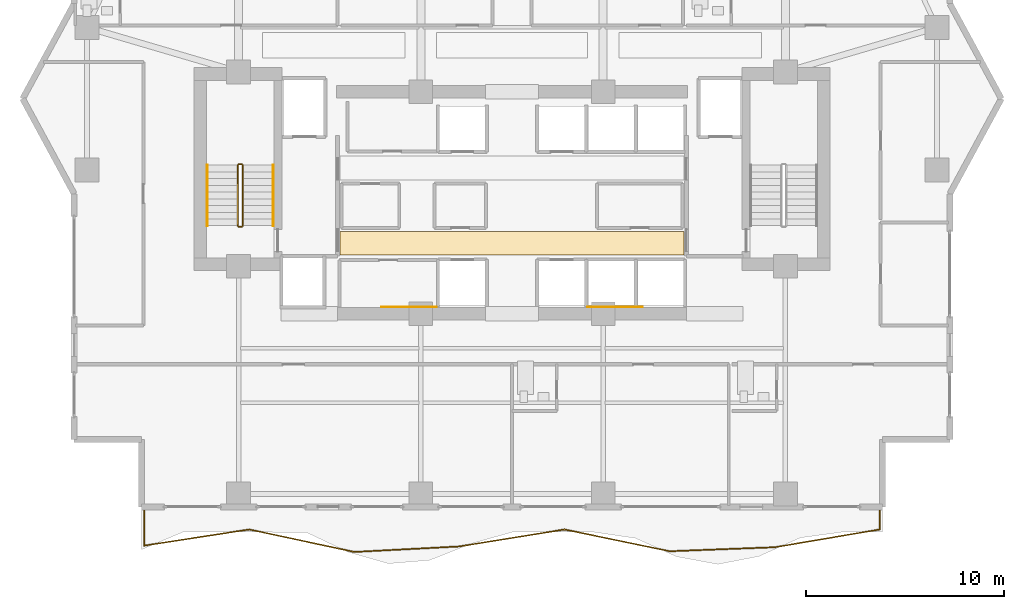
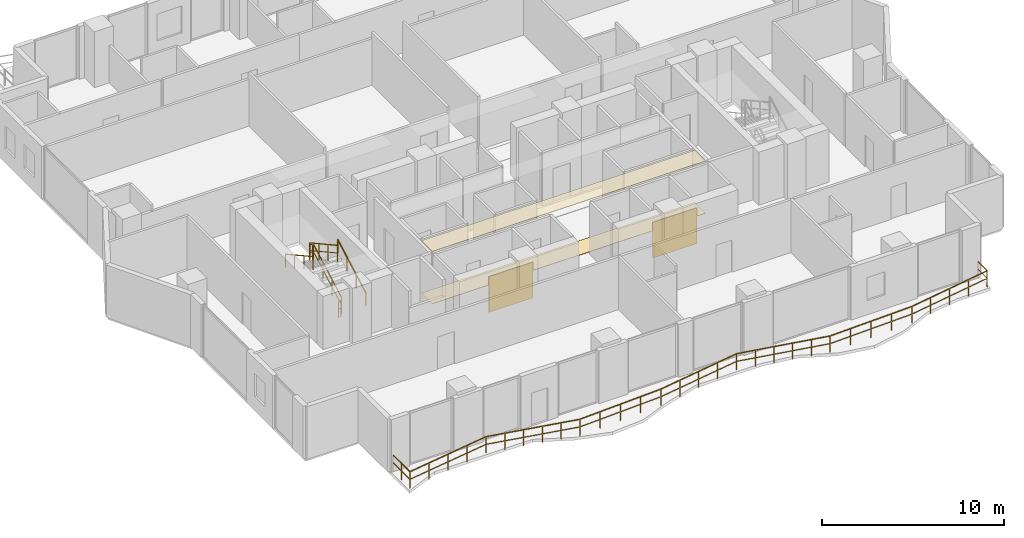
# One storey, part 30 of 33: 7 railings, 4 coverings.
"""IFC4 building model written with IfcOpenShell, lengths in metres."""

from ifc_helpers import new_model, si_unit, direction, frame, origin, origin_2d, place, context, subcontext, project, spatial, polyline, rectangle, outline, extrude, material, layer, layer_set, type_object, element, save


model = new_model("IFC4")

# Units and contexts
model_context = context("Model", 3, precision=1e-05, world=origin(), true_north=direction((0.0, 1.0)))
body_context = subcontext(model_context, "Body", "Model", "MODEL_VIEW")
ifc_project = project(units=[si_unit("LENGTHUNIT", "METRE"), si_unit("AREAUNIT", "SQUARE_METRE"), si_unit("VOLUMEUNIT", "CUBIC_METRE"), si_unit("PLANEANGLEUNIT", "RADIAN"), si_unit("MASSUNIT", "GRAM", prefix="KILO")], contexts=[model_context])

# Site, building, storey
site_placement = place(None, origin())
site = spatial("IfcSite", under=ifc_project, at=site_placement, CompositionType="ELEMENT")
building_placement = place(site_placement, origin())
building = spatial("IfcBuilding", under=site, at=building_placement, Name="Zuhayl Quay Hotel", CompositionType="ELEMENT")
storey_placement = place(building_placement, frame((0.0, 0.0, 211.14990234375)))
storey = spatial("IfcBuildingStorey", under=building, at=storey_placement, Name="L53", CompositionType="ELEMENT", Elevation=211.14990234375)

# Coverings
ifc_material_1 = material(Name="Acoustic Mineral-Fibre Gypsum Board")
ifc_layer_1 = layer(ifc_material_1, 0.02490234375, Name="Acoustic Mineral-Fibre Gypsum Board")
ifc_layer_set_1 = layer_set([ifc_layer_1], Name="Acoustic Mineral-Fibre Gypsum Board")
covering_type_1 = type_object("IfcCoveringType", Name="CV_CEIL_ACOUSTIC", PredefinedType="CEILING", material=ifc_layer_set_1)
covering_1_placement = place(storey_placement, frame((0.0, 0.0, 3.505126953125)))
element("IfcCovering", 1, at=covering_1_placement, inside=storey, type_object=covering_type_1, Name="L53 Suspended Acoustic Lobby Ceiling S", PredefinedType="CEILING", context=body_context, shape_type="SweptSolid", body=[
    extrude(outline(polyline([(-8.679931640625, 5.10009765625), (8.679931640625, 5.10009765625), (8.679931640625, 6.300048828125), (-8.679931640625, 6.300048828125), (-8.679931640625, 5.10009765625)])), origin(), (0.0, 0.0, 1.0), 0.02490234375),
])
ifc_material_2 = material(Name="Polished Limestone Terrazzo", Category="masonry")
ifc_layer_2 = layer(ifc_material_2, 0.02001953125, Name="Polished Limestone Terrazzo", Category="masonry")
ifc_layer_set_2 = layer_set([ifc_layer_2], Name="Polished Limestone Terrazzo")
covering_type_2 = type_object("IfcCoveringType", Name="CV_FLOOR_TERRAZZO", PredefinedType="FLOORING", material=ifc_layer_set_2)
covering_2_placement = place(storey_placement, origin())
element("IfcCovering", 2, at=covering_2_placement, inside=storey, type_object=covering_type_2, Name="L53 Honed Limestone Terrazzo Lobby Flooring S", PredefinedType="FLOORING", context=body_context, shape_type="SweptSolid", body=[
    extrude(outline(polyline([(-8.679931640625, 5.10009765625), (8.679931640625, 5.10009765625), (8.679931640625, 6.300048828125), (-8.679931640625, 6.300048828125), (-8.679931640625, 5.10009765625)])), origin(), (0.0, 0.0, 1.0), 0.02001953125),
])
ifc_material_3 = material(Name="Acoustic Walnut Feature Timber", Category="wood")
ifc_layer_3 = layer(ifc_material_3, 0.02197265625, Name="Acoustic Walnut Feature Timber", Category="wood")
ifc_layer_set_3 = layer_set([ifc_layer_3], Name="Acoustic Walnut Feature Timber")
covering_type_3 = type_object("IfcCoveringType", Name="CV_WALL_CLAD", PredefinedType="CLADDING", material=ifc_layer_set_3)
for number, where, z_axis, x_axis, name in (
    (3, (-5.199951171875, 2.486083984375, 0.300048828125), (0.0, 0.0, 1.0), (1.0, 0.0, 0.0), "L53 Feature Lobby Walnut Wall Cladding W"),
    (4, (5.199951171875, 2.486083984375, 0.300048828125), (0.0, 0.0, 1.0), (1.0, 0.0, 0.0), "L53 Feature Lobby Walnut Wall Cladding E"),
):
    element("IfcCovering", number, at=place(storey_placement, frame(where, z_axis=z_axis, x_axis=x_axis)), inside=storey, type_object=covering_type_3, Name=name, PredefinedType="CLADDING", context=body_context, shape_type="SweptSolid", body=[
        extrude(rectangle(XDim=2.800048828125, YDim=0.02197265625, at=origin_2d()), origin(), (0.0, 0.0, 1.0), 2.39990234375),
    ])

# Railings
ifc_material_4 = material(Name="Anodised Aluminium and Laminated Glass", Category="aluminium")
railing_type_1 = type_object("IfcRailingType", Name="RL_EXT_BAL_1100", PredefinedType="BALUSTRADE", material=ifc_material_4)
railing_1_placement = place(storey_placement, frame((-18.56005859375, -7.719970703125, 0.0)))
element("IfcRailing", 5, at=railing_1_placement, inside=storey, type_object=railing_type_1, Name="L53 Balcony and Terrace Guard GR_L53_BAL_S", PredefinedType="BALUSTRADE", context=body_context, shape_type="SweptSolid", body=[
    extrude(rectangle(XDim=0.048095703125, YDim=0.048095703125, at=origin_2d()), frame((0.0, 0.0, 1.09619140625), z_axis=(0.0, -1.0, 0.0), x_axis=(1.0, 0.0, 0.0)), (0.0, 0.0, 1.0), 1.8349609375),
    extrude(rectangle(XDim=0.0361328125, YDim=0.0361328125, at=origin_2d()), frame((0.0, 0.0, 0.58251953125), z_axis=(0.0, -1.0, 0.0), x_axis=(1.0, 0.0, 0.0)), (0.0, 0.0, 1.0), 1.8349609375),
    extrude(rectangle(XDim=0.048095703125, YDim=0.048095703125, at=origin_2d()), frame((0.0, -1.8349609375, 1.09619140625), z_axis=(0.988396934914, 0.151893051367, 0.0), x_axis=(-0.151893051367, 0.988396934914, 0.0)), (0.0, 0.0, 1.0), 5.365234375),
    extrude(rectangle(XDim=0.0361328125, YDim=0.0361328125, at=origin_2d()), frame((0.0, -1.8349609375, 0.58251953125), z_axis=(0.988396934914, 0.151893051367, 0.0), x_axis=(-0.151893051367, 0.988396934914, 0.0)), (0.0, 0.0, 1.0), 5.365234375),
    extrude(rectangle(XDim=0.048095703125, YDim=0.048095703125, at=origin_2d()), frame((5.302978515625, -1.02001953125, 1.09619140625), z_axis=(0.977823491429, -0.209430703597, 0.0), x_axis=(0.209430703597, 0.977823491429, 0.0)), (0.0, 0.0, 1.0), 5.423095703125),
    extrude(rectangle(XDim=0.0361328125, YDim=0.0361328125, at=origin_2d()), frame((5.302978515625, -1.02001953125, 0.58251953125), z_axis=(0.977823491429, -0.209430703597, 0.0), x_axis=(0.209430703597, 0.977823491429, 0.0)), (0.0, 0.0, 1.0), 5.423095703125),
    extrude(rectangle(XDim=0.048095703125, YDim=0.048095703125, at=origin_2d()), frame((10.605712890625, -2.15576171875, 1.09619140625), z_axis=(0.998615923649, 0.05259502862, 0.0), x_axis=(-0.05259502862, 0.998615923649, 0.0)), (0.0, 0.0, 1.0), 5.310302734375),
    extrude(rectangle(XDim=0.0361328125, YDim=0.0361328125, at=origin_2d()), frame((10.605712890625, -2.15576171875, 0.58251953125), z_axis=(0.998615923649, 0.05259502862, 0.0), x_axis=(-0.05259502862, 0.998615923649, 0.0)), (0.0, 0.0, 1.0), 5.310302734375),
    extrude(rectangle(XDim=0.048095703125, YDim=0.048095703125, at=origin_2d()), frame((15.90869140625, -1.87646484375, 1.09619140625), z_axis=(0.987206986372, 0.159443927633, 0.0), x_axis=(-0.159443927633, 0.987206986372, 0.0)), (0.0, 0.0, 1.0), 5.371337890625),
    extrude(rectangle(XDim=0.0361328125, YDim=0.0361328125, at=origin_2d()), frame((15.90869140625, -1.87646484375, 0.58251953125), z_axis=(0.987206986372, 0.159443927633, 0.0), x_axis=(-0.159443927633, 0.987206986372, 0.0)), (0.0, 0.0, 1.0), 5.371337890625),
    extrude(rectangle(XDim=0.048095703125, YDim=0.048095703125, at=origin_2d()), frame((21.21142578125, -1.02001953125, 1.09619140625), z_axis=(0.97916192174, -0.203081094675, 0.0), x_axis=(0.203081094675, 0.97916192174, 0.0)), (0.0, 0.0, 1.0), 5.415771484375),
    extrude(rectangle(XDim=0.0361328125, YDim=0.0361328125, at=origin_2d()), frame((21.21142578125, -1.02001953125, 0.58251953125), z_axis=(0.97916192174, -0.203081094675, 0.0), x_axis=(0.203081094675, 0.97916192174, 0.0)), (0.0, 0.0, 1.0), 5.415771484375),
    extrude(rectangle(XDim=0.048095703125, YDim=0.048095703125, at=origin_2d()), frame((26.514404296875, -2.119873046875, 1.09619140625), z_axis=(0.999274164849, 0.038093877003, 0.0), x_axis=(-0.038093877003, 0.999274164849, 0.0)), (0.0, 0.0, 1.0), 5.306640625),
    extrude(rectangle(XDim=0.0361328125, YDim=0.0361328125, at=origin_2d()), frame((26.514404296875, -2.119873046875, 0.58251953125), z_axis=(0.999274164849, 0.038093877003, 0.0), x_axis=(-0.038093877003, 0.999274164849, 0.0)), (0.0, 0.0, 1.0), 5.306640625),
    extrude(rectangle(XDim=0.048095703125, YDim=0.048095703125, at=origin_2d()), frame((31.817138671875, -1.917724609375, 1.09619140625), z_axis=(0.985972382207, 0.166908542396, 0.0), x_axis=(-0.166908542396, 0.985972382207, 0.0)), (0.0, 0.0, 1.0), 5.37841796875),
    extrude(rectangle(XDim=0.0361328125, YDim=0.0361328125, at=origin_2d()), frame((31.817138671875, -1.917724609375, 0.58251953125), z_axis=(0.985972382207, 0.166908542396, 0.0), x_axis=(-0.166908542396, 0.985972382207, 0.0)), (0.0, 0.0, 1.0), 5.37841796875),
    extrude(rectangle(XDim=0.048095703125, YDim=0.048095703125, at=origin_2d()), frame((37.1201171875, -1.02001953125, 1.09619140625), z_axis=(0.0, 1.0, 0.0), x_axis=(-1.0, 0.0, 0.0)), (0.0, 0.0, 1.0), 1.02001953125),
    extrude(rectangle(XDim=0.0361328125, YDim=0.0361328125, at=origin_2d()), frame((37.1201171875, -1.02001953125, 0.58251953125), z_axis=(0.0, 1.0, 0.0), x_axis=(-1.0, 0.0, 0.0)), (0.0, 0.0, 1.0), 1.02001953125),
    extrude(rectangle(XDim=0.0419921875, YDim=0.0419921875, at=origin_2d()), origin(), (0.0, 0.0, 1.0), 1.072021484375),
    extrude(rectangle(XDim=0.0419921875, YDim=0.0419921875, at=origin_2d()), frame((0.0, -0.91748046875, 0.0)), (0.0, 0.0, 1.0), 1.072021484375),
    extrude(rectangle(XDim=0.0419921875, YDim=0.0419921875, at=origin_2d()), frame((0.0, -1.8349609375, 0.0)), (0.0, 0.0, 1.0), 1.072021484375),
    extrude(rectangle(XDim=0.0419921875, YDim=0.0419921875, at=origin_2d()), frame((1.32568359375, -1.63134765625, 0.0)), (0.0, 0.0, 1.0), 1.072021484375),
    extrude(rectangle(XDim=0.0419921875, YDim=0.0419921875, at=origin_2d()), frame((2.6513671875, -1.427490234375, 0.0)), (0.0, 0.0, 1.0), 1.072021484375),
    extrude(rectangle(XDim=0.0419921875, YDim=0.0419921875, at=origin_2d()), frame((3.977294921875, -1.2236328125, 0.0)), (0.0, 0.0, 1.0), 1.072021484375),
    extrude(rectangle(XDim=0.0419921875, YDim=0.0419921875, at=origin_2d()), frame((5.302978515625, -1.02001953125, 0.0)), (0.0, 0.0, 1.0), 1.072021484375),
    extrude(rectangle(XDim=0.0419921875, YDim=0.0419921875, at=origin_2d()), frame((6.363525390625, -1.2470703125, 0.0)), (0.0, 0.0, 1.0), 1.072021484375),
    extrude(rectangle(XDim=0.0419921875, YDim=0.0419921875, at=origin_2d()), frame((7.424072265625, -1.474365234375, 0.0)), (0.0, 0.0, 1.0), 1.072021484375),
    extrude(rectangle(XDim=0.0419921875, YDim=0.0419921875, at=origin_2d()), frame((8.484619140625, -1.701416015625, 0.0)), (0.0, 0.0, 1.0), 1.072021484375),
    extrude(rectangle(XDim=0.0419921875, YDim=0.0419921875, at=origin_2d()), frame((9.545166015625, -1.9287109375, 0.0)), (0.0, 0.0, 1.0), 1.072021484375),
    extrude(rectangle(XDim=0.0419921875, YDim=0.0419921875, at=origin_2d()), frame((10.605712890625, -2.15576171875, 0.0)), (0.0, 0.0, 1.0), 1.072021484375),
    extrude(rectangle(XDim=0.0419921875, YDim=0.0419921875, at=origin_2d()), frame((11.931396484375, -2.0859375, 0.0)), (0.0, 0.0, 1.0), 1.072021484375),
    extrude(rectangle(XDim=0.0419921875, YDim=0.0419921875, at=origin_2d()), frame((13.25732421875, -2.01611328125, 0.0)), (0.0, 0.0, 1.0), 1.072021484375),
    extrude(rectangle(XDim=0.0419921875, YDim=0.0419921875, at=origin_2d()), frame((14.5830078125, -1.9462890625, 0.0)), (0.0, 0.0, 1.0), 1.072021484375),
    extrude(rectangle(XDim=0.0419921875, YDim=0.0419921875, at=origin_2d()), frame((15.90869140625, -1.87646484375, 0.0)), (0.0, 0.0, 1.0), 1.072021484375),
    extrude(rectangle(XDim=0.0419921875, YDim=0.0419921875, at=origin_2d()), frame((17.234375, -1.662353515625, 0.0)), (0.0, 0.0, 1.0), 1.072021484375),
    extrude(rectangle(XDim=0.0419921875, YDim=0.0419921875, at=origin_2d()), frame((18.56005859375, -1.4482421875, 0.0)), (0.0, 0.0, 1.0), 1.072021484375),
    extrude(rectangle(XDim=0.0419921875, YDim=0.0419921875, at=origin_2d()), frame((19.8857421875, -1.234130859375, 0.0)), (0.0, 0.0, 1.0), 1.072021484375),
    extrude(rectangle(XDim=0.0419921875, YDim=0.0419921875, at=origin_2d()), frame((21.21142578125, -1.02001953125, 0.0)), (0.0, 0.0, 1.0), 1.072021484375),
    extrude(rectangle(XDim=0.0419921875, YDim=0.0419921875, at=origin_2d()), frame((22.27197265625, -1.239990234375, 0.0)), (0.0, 0.0, 1.0), 1.072021484375),
    extrude(rectangle(XDim=0.0419921875, YDim=0.0419921875, at=origin_2d()), frame((23.33251953125, -1.4599609375, 0.0)), (0.0, 0.0, 1.0), 1.072021484375),
    extrude(rectangle(XDim=0.0419921875, YDim=0.0419921875, at=origin_2d()), frame((24.393310546875, -1.679931640625, 0.0)), (0.0, 0.0, 1.0), 1.072021484375),
    extrude(rectangle(XDim=0.0419921875, YDim=0.0419921875, at=origin_2d()), frame((25.453857421875, -1.89990234375, 0.0)), (0.0, 0.0, 1.0), 1.072021484375),
    extrude(rectangle(XDim=0.0419921875, YDim=0.0419921875, at=origin_2d()), frame((26.514404296875, -2.119873046875, 0.0)), (0.0, 0.0, 1.0), 1.072021484375),
    extrude(rectangle(XDim=0.0419921875, YDim=0.0419921875, at=origin_2d()), frame((27.840087890625, -2.0693359375, 0.0)), (0.0, 0.0, 1.0), 1.072021484375),
    extrude(rectangle(XDim=0.0419921875, YDim=0.0419921875, at=origin_2d()), frame((29.165771484375, -2.018798828125, 0.0)), (0.0, 0.0, 1.0), 1.072021484375),
    extrude(rectangle(XDim=0.0419921875, YDim=0.0419921875, at=origin_2d()), frame((30.491455078125, -1.96826171875, 0.0)), (0.0, 0.0, 1.0), 1.072021484375),
    extrude(rectangle(XDim=0.0419921875, YDim=0.0419921875, at=origin_2d()), frame((31.817138671875, -1.917724609375, 0.0)), (0.0, 0.0, 1.0), 1.072021484375),
    extrude(rectangle(XDim=0.0419921875, YDim=0.0419921875, at=origin_2d()), frame((33.142822265625, -1.693359375, 0.0)), (0.0, 0.0, 1.0), 1.072021484375),
    extrude(rectangle(XDim=0.0419921875, YDim=0.0419921875, at=origin_2d()), frame((34.46875, -1.46875, 0.0)), (0.0, 0.0, 1.0), 1.072021484375),
    extrude(rectangle(XDim=0.0419921875, YDim=0.0419921875, at=origin_2d()), frame((35.79443359375, -1.244384765625, 0.0)), (0.0, 0.0, 1.0), 1.072021484375),
    extrude(rectangle(XDim=0.0419921875, YDim=0.0419921875, at=origin_2d()), frame((37.1201171875, -1.02001953125, 0.0)), (0.0, 0.0, 1.0), 1.072021484375),
    extrude(rectangle(XDim=0.0419921875, YDim=0.0419921875, at=origin_2d()), frame((37.1201171875, 0.0, 0.0)), (0.0, 0.0, 1.0), 1.072021484375),
])
ifc_material_5 = material(Name="Steel ASTM A992 Grade 50", Category="steel")
railing_type_2 = type_object("IfcRailingType", Name="RL_GUARD_1100", PredefinedType="GUARDRAIL", material=ifc_material_5)
railing_2_placement = place(storey_placement, frame((-13.590087890625, 6.590087890625, 0.1875)))
element("IfcRailing", 6, at=railing_2_placement, inside=storey, type_object=railing_type_2, Name="L53 ST1 stair guard 1", PredefinedType="GUARDRAIL", context=body_context, shape_type="SweptSolid", body=[
    extrude(rectangle(XDim=0.048095703125, YDim=0.048095703125, at=origin_2d()), frame((0.0, 0.0, 1.09619140625), z_axis=(0.0, 0.875659195171, 0.482929574485), x_axis=(-1.0, 0.0, 0.0)), (0.0, 0.0, 1.0), 3.494384765625),
    extrude(rectangle(XDim=0.0361328125, YDim=0.0361328125, at=origin_2d()), frame((0.0, 0.0, 0.58251953125), z_axis=(0.0, 0.875659195171, 0.482929574485), x_axis=(-1.0, 0.0, 0.0)), (0.0, 0.0, 1.0), 3.494384765625),
    extrude(rectangle(XDim=0.0419921875, YDim=0.0419921875, at=origin_2d()), origin(), (0.0, 0.0, 1.0), 1.072021484375),
    extrude(rectangle(XDim=0.0419921875, YDim=0.0419921875, at=origin_2d()), frame((0.0, 1.02001953125, 0.5625)), (0.0, 0.0, 1.0), 1.072021484375),
    extrude(rectangle(XDim=0.0419921875, YDim=0.0419921875, at=origin_2d()), frame((0.0, 2.039794921875, 1.125)), (0.0, 0.0, 1.0), 1.072021484375),
    extrude(rectangle(XDim=0.0419921875, YDim=0.0419921875, at=origin_2d()), frame((0.0, 3.059814453125, 1.6875)), (0.0, 0.0, 1.0), 1.072021484375),
])
railing_3_placement = place(storey_placement, frame((-13.639892578125, 9.699951171875, 1.875)))
element("IfcRailing", 7, at=railing_3_placement, inside=storey, type_object=railing_type_2, Name="L53 ST1 stair guard 2", PredefinedType="GUARDRAIL", context=body_context, shape_type="SweptSolid", body=[
    extrude(rectangle(XDim=0.048095703125, YDim=0.048095703125, at=origin_2d()), frame((0.0, 0.0, 1.09619140625), z_axis=(-1.0, 0.0, 0.0), x_axis=(0.0, -1.0, 0.0)), (0.0, 0.0, 1.0), 0.150146484375),
    extrude(rectangle(XDim=0.0361328125, YDim=0.0361328125, at=origin_2d()), frame((0.0, 0.0, 0.58251953125), z_axis=(-1.0, 0.0, 0.0), x_axis=(0.0, -1.0, 0.0)), (0.0, 0.0, 1.0), 0.150146484375),
    extrude(rectangle(XDim=0.0419921875, YDim=0.0419921875, at=origin_2d()), origin(), (0.0, 0.0, 1.0), 1.072021484375),
    extrude(rectangle(XDim=0.0419921875, YDim=0.0419921875, at=origin_2d()), frame((-0.150146484375, 0.0, 0.0)), (0.0, 0.0, 1.0), 1.072021484375),
])
railing_4_placement = place(storey_placement, frame((-13.840087890625, 9.64990234375, 2.0625)))
element("IfcRailing", 8, at=railing_4_placement, inside=storey, type_object=railing_type_2, Name="L53 ST1 stair guard 3", PredefinedType="GUARDRAIL", context=body_context, shape_type="SweptSolid", body=[
    extrude(rectangle(XDim=0.048095703125, YDim=0.048095703125, at=origin_2d()), frame((0.0, 0.0, 1.09619140625), z_axis=(0.0, -0.875659195171, 0.482929574485), x_axis=(1.0, 0.0, 0.0)), (0.0, 0.0, 1.0), 3.494384765625),
    extrude(rectangle(XDim=0.0361328125, YDim=0.0361328125, at=origin_2d()), frame((0.0, 0.0, 0.58251953125), z_axis=(0.0, -0.875659195171, 0.482929574485), x_axis=(1.0, 0.0, 0.0)), (0.0, 0.0, 1.0), 3.494384765625),
    extrude(rectangle(XDim=0.0419921875, YDim=0.0419921875, at=origin_2d()), origin(), (0.0, 0.0, 1.0), 1.072021484375),
    extrude(rectangle(XDim=0.0419921875, YDim=0.0419921875, at=origin_2d()), frame((0.0, -1.02001953125, 0.5625)), (0.0, 0.0, 1.0), 1.072021484375),
    extrude(rectangle(XDim=0.0419921875, YDim=0.0419921875, at=origin_2d()), frame((0.0, -2.039794921875, 1.125)), (0.0, 0.0, 1.0), 1.072021484375),
    extrude(rectangle(XDim=0.0419921875, YDim=0.0419921875, at=origin_2d()), frame((0.0, -3.059814453125, 1.6875)), (0.0, 0.0, 1.0), 1.072021484375),
])
railing_5_placement = place(storey_placement, frame((-13.639892578125, 6.5400390625, 0.0)))
element("IfcRailing", 9, at=railing_5_placement, inside=storey, type_object=railing_type_2, Name="L53 ST1 stair guard 4", PredefinedType="GUARDRAIL", context=body_context, shape_type="SweptSolid", body=[
    extrude(rectangle(XDim=0.048095703125, YDim=0.048095703125, at=origin_2d()), frame((0.0, 0.0, 1.09619140625), z_axis=(-1.0, 0.0, 0.0), x_axis=(0.0, -1.0, 0.0)), (0.0, 0.0, 1.0), 0.150146484375),
    extrude(rectangle(XDim=0.0361328125, YDim=0.0361328125, at=origin_2d()), frame((0.0, 0.0, 0.58251953125), z_axis=(-1.0, 0.0, 0.0), x_axis=(0.0, -1.0, 0.0)), (0.0, 0.0, 1.0), 0.150146484375),
    extrude(rectangle(XDim=0.0419921875, YDim=0.0419921875, at=origin_2d()), origin(), (0.0, 0.0, 1.0), 1.072021484375),
    extrude(rectangle(XDim=0.0419921875, YDim=0.0419921875, at=origin_2d()), frame((-0.150146484375, 0.0, 0.0)), (0.0, 0.0, 1.0), 1.072021484375),
])
railing_type_3 = type_object("IfcRailingType", Name="RL_HANDRAIL_920", PredefinedType="HANDRAIL", material=ifc_material_5)
railing_6_placement = place(storey_placement, frame((-12.050048828125, 6.590087890625, 0.1875)))
element("IfcRailing", 10, at=railing_6_placement, inside=storey, type_object=railing_type_3, Name="L53 ST1 stair handrail 1", PredefinedType="HANDRAIL", context=body_context, shape_type="SweptSolid", body=[
    extrude(rectangle(XDim=0.048095703125, YDim=0.048095703125, at=origin_2d()), frame((0.0, 0.0, 0.8759765625), z_axis=(0.0, 0.875659195171, 0.482929574485), x_axis=(-1.0, 0.0, 0.0)), (0.0, 0.0, 1.0), 3.494384765625),
    extrude(rectangle(XDim=0.0419921875, YDim=0.0419921875, at=origin_2d()), origin(), (0.0, 0.0, 1.0), 0.851806640625),
    extrude(rectangle(XDim=0.0419921875, YDim=0.0419921875, at=origin_2d()), frame((0.0, 1.02001953125, 0.5625)), (0.0, 0.0, 1.0), 0.851806640625),
    extrude(rectangle(XDim=0.0419921875, YDim=0.0419921875, at=origin_2d()), frame((0.0, 2.039794921875, 1.125)), (0.0, 0.0, 1.0), 0.851806640625),
    extrude(rectangle(XDim=0.0419921875, YDim=0.0419921875, at=origin_2d()), frame((0.0, 3.059814453125, 1.6875)), (0.0, 0.0, 1.0), 0.851806640625),
])
railing_7_placement = place(storey_placement, frame((-15.3798828125, 9.64990234375, 2.0625)))
element("IfcRailing", 11, at=railing_7_placement, inside=storey, type_object=railing_type_3, Name="L53 ST1 stair handrail 2", PredefinedType="HANDRAIL", context=body_context, shape_type="SweptSolid", body=[
    extrude(rectangle(XDim=0.048095703125, YDim=0.048095703125, at=origin_2d()), frame((0.0, 0.0, 0.8759765625), z_axis=(0.0, -0.875659195171, 0.482929574485), x_axis=(1.0, 0.0, 0.0)), (0.0, 0.0, 1.0), 3.494384765625),
    extrude(rectangle(XDim=0.0419921875, YDim=0.0419921875, at=origin_2d()), origin(), (0.0, 0.0, 1.0), 0.851806640625),
    extrude(rectangle(XDim=0.0419921875, YDim=0.0419921875, at=origin_2d()), frame((0.0, -1.02001953125, 0.5625)), (0.0, 0.0, 1.0), 0.851806640625),
    extrude(rectangle(XDim=0.0419921875, YDim=0.0419921875, at=origin_2d()), frame((0.0, -2.039794921875, 1.125)), (0.0, 0.0, 1.0), 0.851806640625),
    extrude(rectangle(XDim=0.0419921875, YDim=0.0419921875, at=origin_2d()), frame((0.0, -3.059814453125, 1.6875)), (0.0, 0.0, 1.0), 0.851806640625),
])

save(model, "model.ifc")
